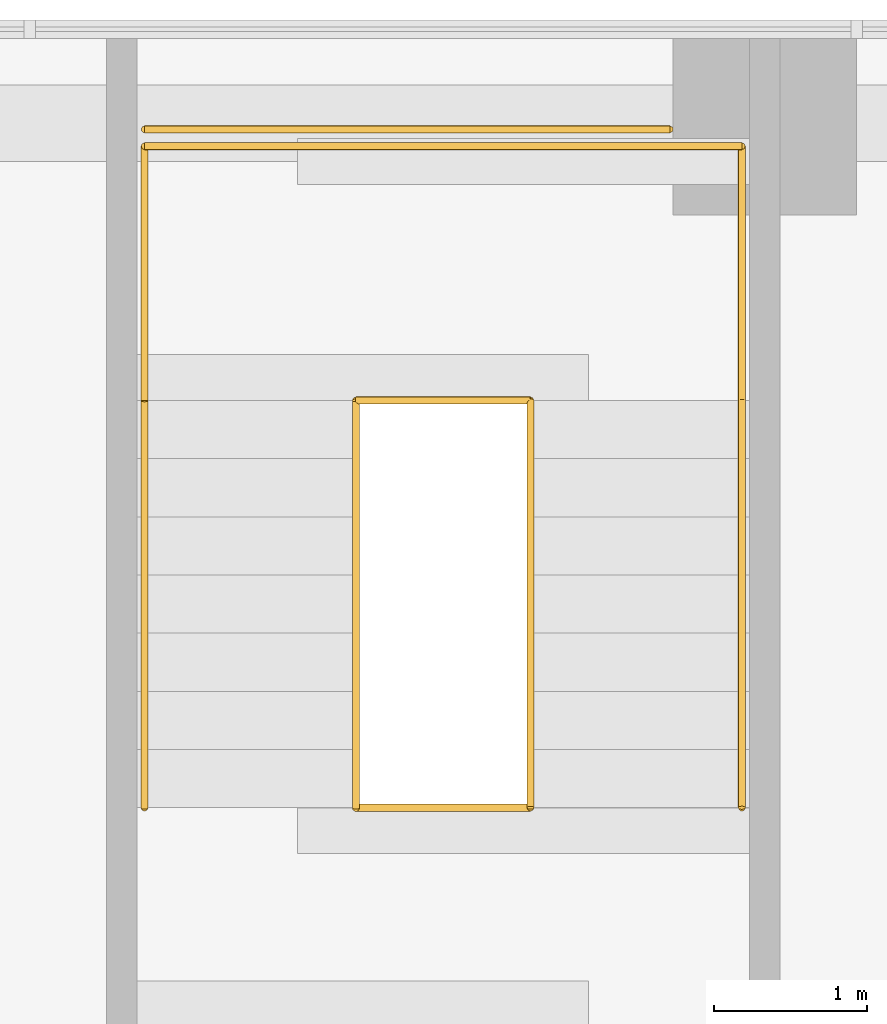
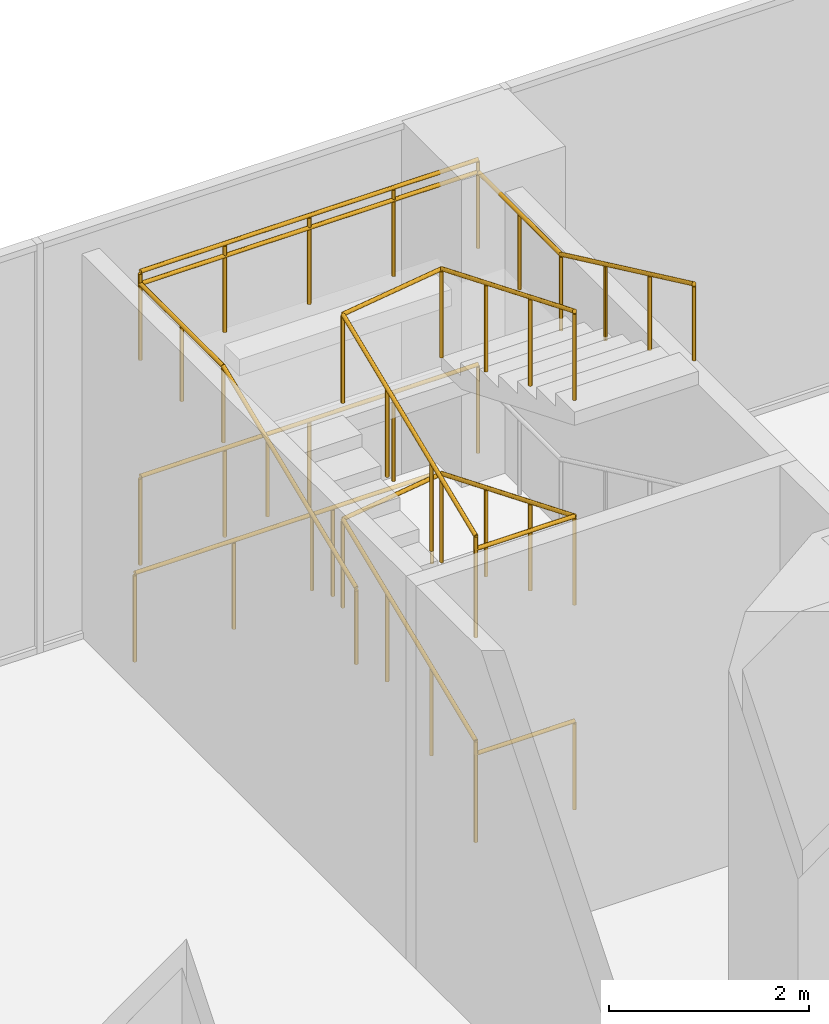
# One storey, part 28 of 28: 6 railings.
"""IFC4 building model written with IfcOpenShell, lengths in metres."""

from ifc_helpers import new_model, si_unit, direction, frame, origin, origin_2d, place, context, subcontext, project, spatial, circle, extrude, material, type_object, element, save


model = new_model("IFC4")

# Units and contexts
model_context = context("Model", 3, precision=1e-05, world=origin(), true_north=direction((0.0, 1.0)))
body_context = subcontext(model_context, "Body", "Model", "MODEL_VIEW")
ifc_project = project(units=[si_unit("LENGTHUNIT", "METRE"), si_unit("AREAUNIT", "SQUARE_METRE"), si_unit("VOLUMEUNIT", "CUBIC_METRE"), si_unit("PLANEANGLEUNIT", "RADIAN"), si_unit("MASSUNIT", "GRAM", prefix="KILO")], contexts=[model_context])

# Site, building, storey
site_placement = place(None, origin())
site = spatial("IfcSite", under=ifc_project, at=site_placement, CompositionType="ELEMENT")
building_placement = place(site_placement, origin())
building = spatial("IfcBuilding", under=site, at=building_placement, Name="Marenta Gate Hotel Tower", CompositionType="ELEMENT")
storey_placement = place(building_placement, frame((0.0, 0.0, 26.0)))
storey = spatial("IfcBuildingStorey", under=building, at=storey_placement, Name="L04", CompositionType="ELEMENT", Elevation=26.0)

# Railings
ifc_material_1 = material(Name="Stainless steel", Category="steel")
railing_type_1 = type_object("IfcRailingType", Name="Core stair handrail 950", PredefinedType="HANDRAIL", material=ifc_material_1)
railing_1_placement = place(storey_placement, frame((16.949951171875, 37.530029296875, 2.65625)))
element("IfcRailing", 1, at=railing_1_placement, inside=storey, type_object=railing_type_1, Name="HR-950 L04-KR-PX4-5", PredefinedType="HANDRAIL", context=body_context, shape_type="SweptSolid", body=[
    extrude(circle(Radius=0.02392578125, at=origin_2d()), frame((0.0, 0.0, 0.92578125), z_axis=(0.0, 0.924862585091, 0.38030145766), x_axis=(-1.0, 0.0, 0.0)), (0.0, 0.0, 1.0), 2.8759765625),
    extrude(circle(Radius=0.02392578125, at=origin_2d()), frame((0.0, 2.659912109375, 2.01953125), z_axis=(0.0, 1.0, 0.0), x_axis=(-1.0, 0.0, 0.0)), (0.0, 0.0, 1.0), 1.66015625),
    extrude(circle(Radius=0.02392578125, at=origin_2d()), frame((0.0, 4.320068359375, 2.01953125), z_axis=(1.0, 0.0, 0.0), x_axis=(0.0, 1.0, 0.0)), (0.0, 0.0, 1.0), 3.900146484375),
    extrude(circle(Radius=0.02392578125, at=origin_2d()), frame((3.900146484375, 4.320068359375, 2.01953125), z_axis=(0.0, -1.0, 0.0), x_axis=(1.0, 0.0, 0.0)), (0.0, 0.0, 1.0), 1.66015625),
    extrude(circle(Radius=0.02392578125, at=origin_2d()), frame((3.900146484375, 2.659912109375, 2.01953125), z_axis=(0.0, -0.905044486808, 0.425316913488), x_axis=(1.0, 0.0, 0.0)), (0.0, 0.0, 1.0), 2.93896484375),
    extrude(circle(Radius=0.02099609375, at=origin_2d()), origin(), (0.0, 0.0, 1.0), 0.90185546875),
    extrude(circle(Radius=0.02099609375, at=origin_2d()), frame((0.0, 0.88671875, 0.364501953125)), (0.0, 0.0, 1.0), 0.90185546875),
    extrude(circle(Radius=0.02099609375, at=origin_2d()), frame((0.0, 1.773193359375, 0.729248046875)), (0.0, 0.0, 1.0), 0.90185546875),
    extrude(circle(Radius=0.02099609375, at=origin_2d()), frame((0.0, 2.659912109375, 1.09375)), (0.0, 0.0, 1.0), 0.90185546875),
    extrude(circle(Radius=0.02099609375, at=origin_2d()), frame((0.0, 3.489990234375, 1.09375)), (0.0, 0.0, 1.0), 0.90185546875),
    extrude(circle(Radius=0.02099609375, at=origin_2d()), frame((0.0, 4.320068359375, 1.09375)), (0.0, 0.0, 1.0), 0.90185546875),
    extrude(circle(Radius=0.02099609375, at=origin_2d()), frame((0.97509765625, 4.320068359375, 1.09375)), (0.0, 0.0, 1.0), 0.90185546875),
    extrude(circle(Radius=0.02099609375, at=origin_2d()), frame((1.9501953125, 4.320068359375, 1.09375)), (0.0, 0.0, 1.0), 0.90185546875),
    extrude(circle(Radius=0.02099609375, at=origin_2d()), frame((2.925048828125, 4.320068359375, 1.09375)), (0.0, 0.0, 1.0), 0.90185546875),
    extrude(circle(Radius=0.02099609375, at=origin_2d()), frame((3.900146484375, 4.320068359375, 1.09375)), (0.0, 0.0, 1.0), 0.90185546875),
    extrude(circle(Radius=0.02099609375, at=origin_2d()), frame((3.900146484375, 3.489990234375, 1.09375)), (0.0, 0.0, 1.0), 0.90185546875),
    extrude(circle(Radius=0.02099609375, at=origin_2d()), frame((3.900146484375, 2.659912109375, 1.09375)), (0.0, 0.0, 1.0), 0.90185546875),
    extrude(circle(Radius=0.02099609375, at=origin_2d()), frame((3.900146484375, 1.773193359375, 1.510498046875)), (0.0, 0.0, 1.0), 0.90185546875),
    extrude(circle(Radius=0.02099609375, at=origin_2d()), frame((3.900146484375, 0.88671875, 1.927001953125)), (0.0, 0.0, 1.0), 0.90185546875),
    extrude(circle(Radius=0.02099609375, at=origin_2d()), frame((3.900146484375, 0.0, 2.34375)), (0.0, 0.0, 1.0), 0.90185546875),
])
ifc_material_2 = material(Name="Stainless steel", Category="steel")
railing_type_2 = type_object("IfcRailingType", Name="Core stair well guard 1100", PredefinedType="GUARDRAIL", material=ifc_material_2)
railing_2_placement = place(storey_placement, frame((16.949951171875, 41.85009765625, 1.25)))
element("IfcRailing", 2, at=railing_2_placement, inside=storey, type_object=railing_type_2, Name="GR-1100 L04-KR-PX4-1", PredefinedType="GUARDRAIL", context=body_context, shape_type="SweptSolid", body=[
    extrude(circle(Radius=0.02392578125, at=origin_2d()), frame((0.0, 0.0, 1.076171875), z_axis=(1.0, 0.0, 0.0), x_axis=(0.0, 1.0, 0.0)), (0.0, 0.0, 1.0), 3.900146484375),
    extrude(circle(Radius=0.02099609375, at=origin_2d()), origin(), (0.0, 0.0, 1.0), 1.052001953125),
    extrude(circle(Radius=0.02099609375, at=origin_2d()), frame((0.97509765625, 0.0, 0.0)), (0.0, 0.0, 1.0), 1.052001953125),
    extrude(circle(Radius=0.02099609375, at=origin_2d()), frame((1.9501953125, 0.0, 0.0)), (0.0, 0.0, 1.0), 1.052001953125),
    extrude(circle(Radius=0.02099609375, at=origin_2d()), frame((2.925048828125, 0.0, 0.0)), (0.0, 0.0, 1.0), 1.052001953125),
    extrude(circle(Radius=0.02099609375, at=origin_2d()), frame((3.900146484375, 0.0, 0.0)), (0.0, 0.0, 1.0), 1.052001953125),
])
railing_3_placement = place(storey_placement, frame((19.469970703125, 37.530029296875, 0.0)))
element("IfcRailing", 3, at=railing_3_placement, inside=storey, type_object=railing_type_2, Name="GR-1100 L04-KR-PX4-3", PredefinedType="GUARDRAIL", context=body_context, shape_type="SweptSolid", body=[
    extrude(circle(Radius=0.02392578125, at=origin_2d()), frame((0.0, 0.0, 1.076171875), z_axis=(-1.0, 0.0, 0.0), x_axis=(0.0, -1.0, 0.0)), (0.0, 0.0, 1.0), 1.139892578125),
    extrude(circle(Radius=0.02392578125, at=origin_2d()), frame((-1.139892578125, 0.0, 1.076171875), z_axis=(0.0, 0.0, 1.0), x_axis=(1.0, 0.0, 0.0)), (0.0, 0.0, 1.0), 0.15625),
    extrude(circle(Radius=0.02392578125, at=origin_2d()), frame((-1.139892578125, 0.0, 1.232421875), z_axis=(0.0, 0.924862585091, 0.38030145766), x_axis=(-1.0, 0.0, 0.0)), (0.0, 0.0, 1.0), 2.8759765625),
    extrude(circle(Radius=0.02392578125, at=origin_2d()), frame((-1.139892578125, 2.659912109375, 2.326171875), z_axis=(0.990735666123, 0.0, 0.135804417717), x_axis=(0.0, 1.0, 0.0)), (0.0, 0.0, 1.0), 1.150634765625),
    extrude(circle(Radius=0.02392578125, at=origin_2d()), frame((0.0, 2.659912109375, 2.482421875), z_axis=(0.0, -0.924862585091, 0.38030145766), x_axis=(1.0, 0.0, 0.0)), (0.0, 0.0, 1.0), 2.8759765625),
    extrude(circle(Radius=0.02099609375, at=origin_2d()), origin(), (0.0, 0.0, 1.0), 1.052001953125),
    extrude(circle(Radius=0.02099609375, at=origin_2d()), frame((-1.139892578125, 0.0, 0.0)), (0.0, 0.0, 1.0), 1.052001953125),
    extrude(circle(Radius=0.02099609375, at=origin_2d()), frame((-1.139892578125, 0.0, 0.15625)), (0.0, 0.0, 1.0), 1.052001953125),
    extrude(circle(Radius=0.02099609375, at=origin_2d()), frame((-1.139892578125, 0.88671875, 0.520751953125)), (0.0, 0.0, 1.0), 1.052001953125),
    extrude(circle(Radius=0.02099609375, at=origin_2d()), frame((-1.139892578125, 1.773193359375, 0.885498046875)), (0.0, 0.0, 1.0), 1.052001953125),
    extrude(circle(Radius=0.02099609375, at=origin_2d()), frame((-1.139892578125, 2.659912109375, 1.25)), (0.0, 0.0, 1.0), 1.052001953125),
    extrude(circle(Radius=0.02099609375, at=origin_2d()), frame((0.0, 2.659912109375, 1.40625)), (0.0, 0.0, 1.0), 1.052001953125),
    extrude(circle(Radius=0.02099609375, at=origin_2d()), frame((0.0, 1.773193359375, 1.770751953125)), (0.0, 0.0, 1.0), 1.052001953125),
    extrude(circle(Radius=0.02099609375, at=origin_2d()), frame((0.0, 0.88671875, 2.135498046875)), (0.0, 0.0, 1.0), 1.052001953125),
    extrude(circle(Radius=0.02099609375, at=origin_2d()), frame((0.0, 0.0, 2.5)), (0.0, 0.0, 1.0), 1.052001953125),
])
railing_4_placement = place(storey_placement, frame((16.949951171875, 41.85009765625, 3.75)))
element("IfcRailing", 4, at=railing_4_placement, inside=storey, type_object=railing_type_2, Name="GR-1100 L04-KR-PX4-4", PredefinedType="GUARDRAIL", context=body_context, shape_type="SweptSolid", body=[
    extrude(circle(Radius=0.02392578125, at=origin_2d()), frame((0.0, 0.0, 1.076171875), z_axis=(1.0, 0.0, 0.0), x_axis=(0.0, 1.0, 0.0)), (0.0, 0.0, 1.0), 3.900146484375),
    extrude(circle(Radius=0.02099609375, at=origin_2d()), origin(), (0.0, 0.0, 1.0), 1.052001953125),
    extrude(circle(Radius=0.02099609375, at=origin_2d()), frame((0.97509765625, 0.0, 0.0)), (0.0, 0.0, 1.0), 1.052001953125),
    extrude(circle(Radius=0.02099609375, at=origin_2d()), frame((1.9501953125, 0.0, 0.0)), (0.0, 0.0, 1.0), 1.052001953125),
    extrude(circle(Radius=0.02099609375, at=origin_2d()), frame((2.925048828125, 0.0, 0.0)), (0.0, 0.0, 1.0), 1.052001953125),
    extrude(circle(Radius=0.02099609375, at=origin_2d()), frame((3.900146484375, 0.0, 0.0)), (0.0, 0.0, 1.0), 1.052001953125),
])
railing_5_placement = place(storey_placement, frame((19.469970703125, 37.530029296875, 2.5)))
element("IfcRailing", 5, at=railing_5_placement, inside=storey, type_object=railing_type_2, Name="GR-1100 L04-KR-PX4-6", PredefinedType="GUARDRAIL", context=body_context, shape_type="SweptSolid", body=[
    extrude(circle(Radius=0.02392578125, at=origin_2d()), frame((0.0, 0.0, 1.076171875), z_axis=(-1.0, 0.0, 0.0), x_axis=(0.0, -1.0, 0.0)), (0.0, 0.0, 1.0), 1.139892578125),
    extrude(circle(Radius=0.02392578125, at=origin_2d()), frame((-1.139892578125, 0.0, 1.076171875), z_axis=(0.0, 0.0, 1.0), x_axis=(1.0, 0.0, 0.0)), (0.0, 0.0, 1.0), 0.15625),
    extrude(circle(Radius=0.02392578125, at=origin_2d()), frame((-1.139892578125, 0.0, 1.232421875), z_axis=(0.0, 0.924862585091, 0.38030145766), x_axis=(-1.0, 0.0, 0.0)), (0.0, 0.0, 1.0), 2.8759765625),
    extrude(circle(Radius=0.02392578125, at=origin_2d()), frame((-1.139892578125, 2.659912109375, 2.326171875), z_axis=(0.990735666123, 0.0, 0.135804417717), x_axis=(0.0, 1.0, 0.0)), (0.0, 0.0, 1.0), 1.150634765625),
    extrude(circle(Radius=0.02392578125, at=origin_2d()), frame((0.0, 2.659912109375, 2.482421875), z_axis=(0.0, -0.924862585091, 0.38030145766), x_axis=(1.0, 0.0, 0.0)), (0.0, 0.0, 1.0), 2.8759765625),
    extrude(circle(Radius=0.02099609375, at=origin_2d()), origin(), (0.0, 0.0, 1.0), 1.052001953125),
    extrude(circle(Radius=0.02099609375, at=origin_2d()), frame((-1.139892578125, 0.0, 0.0)), (0.0, 0.0, 1.0), 1.052001953125),
    extrude(circle(Radius=0.02099609375, at=origin_2d()), frame((-1.139892578125, 0.0, 0.15625)), (0.0, 0.0, 1.0), 1.052001953125),
    extrude(circle(Radius=0.02099609375, at=origin_2d()), frame((-1.139892578125, 0.88671875, 0.520751953125)), (0.0, 0.0, 1.0), 1.052001953125),
    extrude(circle(Radius=0.02099609375, at=origin_2d()), frame((-1.139892578125, 1.773193359375, 0.885498046875)), (0.0, 0.0, 1.0), 1.052001953125),
    extrude(circle(Radius=0.02099609375, at=origin_2d()), frame((-1.139892578125, 2.659912109375, 1.25)), (0.0, 0.0, 1.0), 1.052001953125),
    extrude(circle(Radius=0.02099609375, at=origin_2d()), frame((0.0, 2.659912109375, 1.40625)), (0.0, 0.0, 1.0), 1.052001953125),
    extrude(circle(Radius=0.02099609375, at=origin_2d()), frame((0.0, 1.773193359375, 1.770751953125)), (0.0, 0.0, 1.0), 1.052001953125),
    extrude(circle(Radius=0.02099609375, at=origin_2d()), frame((0.0, 0.88671875, 2.135498046875)), (0.0, 0.0, 1.0), 1.052001953125),
    extrude(circle(Radius=0.02099609375, at=origin_2d()), frame((0.0, 0.0, 2.5)), (0.0, 0.0, 1.0), 1.052001953125),
])
ifc_material_3 = material(Name="Stainless steel", Category="steel")
railing_type_3 = type_object("IfcRailingType", Name="Slab edge guard 1100", PredefinedType="GUARDRAIL", material=ifc_material_3)
railing_6_placement = place(storey_placement, frame((16.949951171875, 41.9599609375, 0.0)))
element("IfcRailing", 6, at=railing_6_placement, inside=storey, type_object=railing_type_3, Name="GR-1100E L04-PGS-PX4-2", PredefinedType="GUARDRAIL", context=body_context, shape_type="SweptSolid", body=[
    extrude(circle(Radius=0.02392578125, at=origin_2d()), frame((0.0, 0.0, 1.076171875), z_axis=(1.0, 0.0, 0.0), x_axis=(0.0, 1.0, 0.0)), (0.0, 0.0, 1.0), 3.429931640625),
    extrude(circle(Radius=0.02099609375, at=origin_2d()), origin(), (0.0, 0.0, 1.0), 1.052001953125),
    extrude(circle(Radius=0.02099609375, at=origin_2d()), frame((1.143310546875, 0.0, 0.0)), (0.0, 0.0, 1.0), 1.052001953125),
    extrude(circle(Radius=0.02099609375, at=origin_2d()), frame((2.28662109375, 0.0, 0.0)), (0.0, 0.0, 1.0), 1.052001953125),
    extrude(circle(Radius=0.02099609375, at=origin_2d()), frame((3.429931640625, 0.0, 0.0)), (0.0, 0.0, 1.0), 1.052001953125),
])

save(model, "model.ifc")
